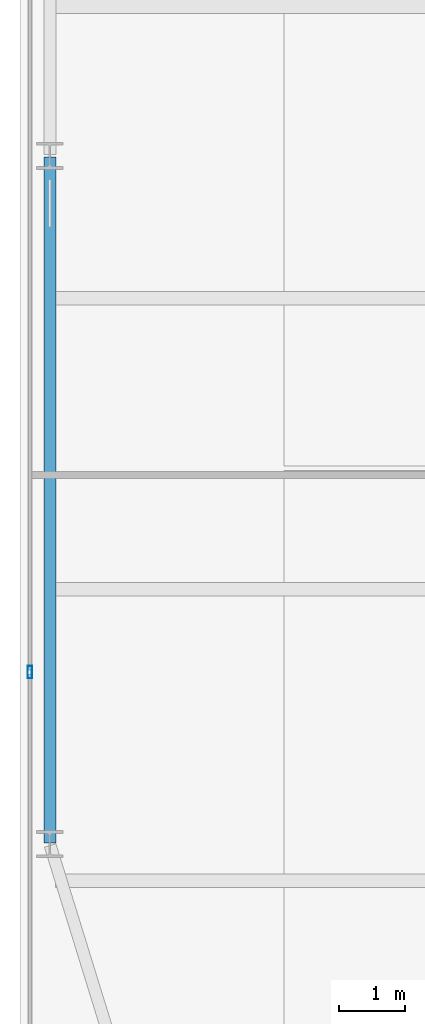
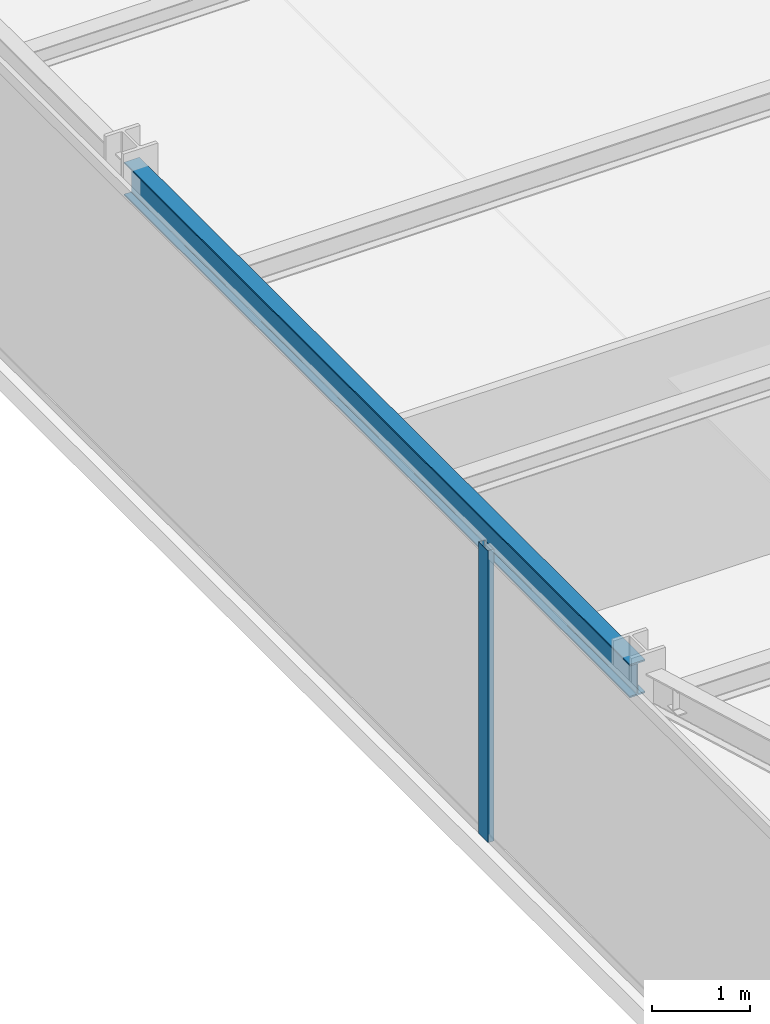
# One storey, part 8 of 31: 1 beam, 1 member, 1 element without a shape of its own.
"""IFC4 building model written with IfcOpenShell, lengths in metres."""

from ifc_helpers import new_model, si_unit, direction, frame, origin, origin_2d, place, context, subcontext, project, spatial, hollow_rectangle, i_section, extrude, source, transform, mapped, material, layer, layer_set, material_profile, profile_set, type_object, type_shapes, element, aggregate, save


model = new_model("IFC4")

# Units and contexts
model_context = context("Model", 3, precision=1e-05, world=origin(), true_north=direction((0.0, 1.0)))
body_context = subcontext(model_context, "Body", "Model", "MODEL_VIEW")
ifc_project = project(units=[si_unit("LENGTHUNIT", "METRE"), si_unit("AREAUNIT", "SQUARE_METRE"), si_unit("VOLUMEUNIT", "CUBIC_METRE"), si_unit("PLANEANGLEUNIT", "RADIAN"), si_unit("MASSUNIT", "GRAM", prefix="KILO")], contexts=[model_context])

# Site, building, storey
site_placement = place(None, origin())
site = spatial("IfcSite", under=ifc_project, at=site_placement, CompositionType="ELEMENT")
building_placement = place(site_placement, origin())
building = spatial("IfcBuilding", under=site, at=building_placement, Name="Varnel Quay Broadcast Tower", CompositionType="ELEMENT")
storey_placement = place(building_placement, frame((0.0, 0.0, 35.39990234375)))
storey = spatial("IfcBuildingStorey", under=building, at=storey_placement, Name="L07", CompositionType="ELEMENT", Elevation=35.39990234375)

# Beam
ifc_material_1 = material(Name="Structural Steel CSA G40.21 350W", Category="steel")
ifc_material_profile_1 = material_profile(ifc_material_1, i_section(OverallWidth=0.180908203125, OverallDepth=0.4169921875, WebThickness=0.010986328125, FlangeThickness=0.018310546875, FilletRadius=0.011962890625, at=origin_2d()), Name="W410X85")
ifc_profile_set_1 = profile_set([ifc_material_profile_1], Name="Structural Steel CSA G40.21 350W")
beam_type = type_object("IfcBeamType", Name="Beam_W410X85", PredefinedType="SPANDREL", material=ifc_profile_set_1)
shared_shape_1 = source(origin(), body_context, "Body", "SweptSolid", [
    extrude(i_section(OverallWidth=0.180908203125, OverallDepth=0.4169921875, WebThickness=0.010986328125, FlangeThickness=0.018310546875, FilletRadius=0.011962890625, at=origin_2d()), origin(), (0.0, 0.0, 1.0), 10.35986328125),
])
type_shapes(beam_type, [shared_shape_1])
beam_placement = place(storey_placement, frame((2.449951171875, 15.02001953125, 3.441650390625), z_axis=(0.0, 1.0, 0.0), x_axis=(-1.0, 0.0, 0.0)))
element("IfcBeam", 1, at=beam_placement, inside=storey, type_object=beam_type, Name="L07 West Spandrel TC-W1-TC-W2", PredefinedType="SPANDREL", context=body_context, shape_type="MappedRepresentation", body=[
    mapped(shared_shape_1, transform((0.0, 0.0, 0.0), x_axis=(1.0, 0.0, 0.0), y_axis=(0.0, 1.0, 0.0), z_axis=(0.0, 0.0, 1.0), scale=1.0)),
])

# Curtain wall, member
ifc_material_2 = material(Name="Anodised Bronze Aluminium 6063-T6", Category="aluminium")
ifc_layer = layer(ifc_material_2, 0.18994140625, Name="Anodised Bronze Aluminium 6063-T6")
ifc_layer_set = layer_set([ifc_layer], Name="Anodised Bronze Aluminium 6063-T6")
curtain_wall_type = type_object("IfcCurtainWallType", Name="CW_LowerTower", PredefinedType="NOTDEFINED", material=ifc_layer_set)
curtain_wall_placement = place(storey_placement, origin())
curtain_wall = element("IfcCurtainWall", 2, at=curtain_wall_placement, inside=storey, type_object=curtain_wall_type, Name="L07 West Unitised Curtain Wall", PredefinedType="NOTDEFINED")
ifc_material_profile_2 = material_profile(ifc_material_2, hollow_rectangle(XDim=0.070068359375, YDim=0.18994140625, WallThickness=0.00390625, at=origin_2d()), Name="ALU70X190X4")
ifc_profile_set_2 = profile_set([ifc_material_profile_2], Name="Anodised Bronze Aluminium 6063-T6")
member_type = type_object("IfcMemberType", Name="Mull_CWS-02", PredefinedType="MULLION", material=ifc_profile_set_2)
shared_shape_2 = source(origin(), body_context, "Body", "SweptSolid", [
    extrude(hollow_rectangle(XDim=0.070068359375, YDim=0.18994140625, WallThickness=0.00390625, at=origin_2d()), origin(), (0.0, 0.0, 1.0), 3.650146484375),
])
type_shapes(member_type, [shared_shape_2])
member_placement = place(storey_placement, frame((2.14990234375, 17.60009765625, 0.0), z_axis=(0.0, 0.0, 1.0), x_axis=(-1.0, 0.0, 0.0)))
member = element("IfcMember", 3, at=member_placement, type_object=member_type, Name="CWS-02 mullion 2", PredefinedType="MULLION", context=body_context, shape_type="MappedRepresentation", body=[
    mapped(shared_shape_2, transform((0.0, 0.0, 0.0), x_axis=(1.0, 0.0, 0.0), y_axis=(0.0, 1.0, 0.0), z_axis=(0.0, 0.0, 1.0), scale=1.0)),
])
aggregate(curtain_wall, [member])

save(model, "model.ifc")
